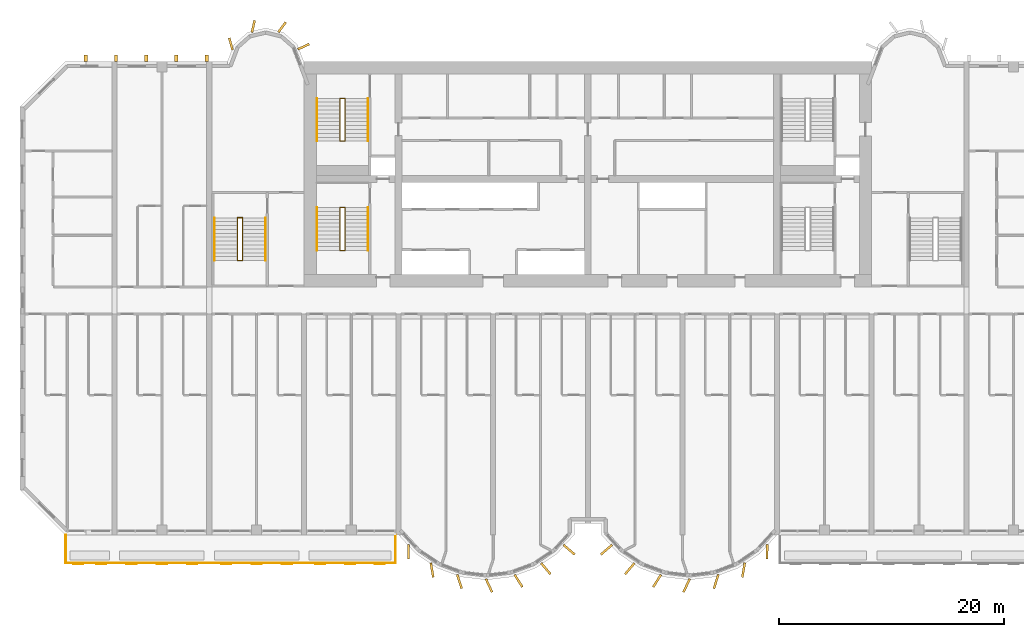
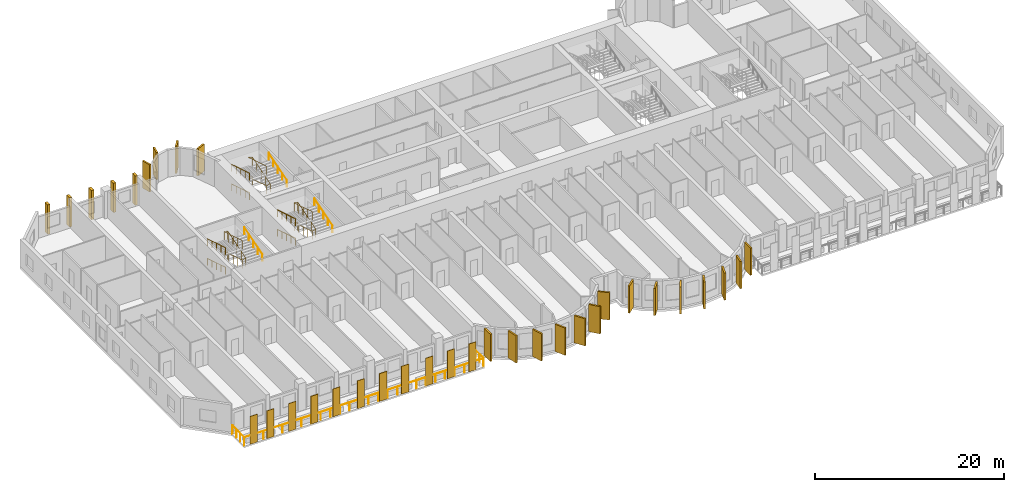
# One storey, part 13 of 15: 34 coverings, 13 railings.
"""IFC4 building model written with IfcOpenShell, lengths in metres."""

from ifc_helpers import new_model, si_unit, direction, frame, origin, origin_2d, place, context, subcontext, project, spatial, rectangle, circle, extrude, source, transform, mapped, material, layer, layer_set, material_profile, profile_set, type_object, element, save


model = new_model("IFC4")

# Units and contexts
model_context = context("Model", 3, precision=1e-05, world=origin(), true_north=direction((0.0, 1.0)))
body_context = subcontext(model_context, "Body", "Model", "MODEL_VIEW")
ifc_project = project(units=[si_unit("LENGTHUNIT", "METRE"), si_unit("AREAUNIT", "SQUARE_METRE"), si_unit("VOLUMEUNIT", "CUBIC_METRE"), si_unit("PLANEANGLEUNIT", "RADIAN"), si_unit("MASSUNIT", "GRAM", prefix="KILO")], contexts=[model_context])

# Site, building, storey
site_placement = place(None, origin())
site = spatial("IfcSite", under=ifc_project, at=site_placement, CompositionType="ELEMENT")
building_placement = place(site_placement, origin())
building = spatial("IfcBuilding", under=site, at=building_placement, Name="Vanashikhar Sky Hotel", CompositionType="ELEMENT")
storey_placement = place(building_placement, frame((0.0, 0.0, 31.60009765625)))
storey = spatial("IfcBuildingStorey", under=building, at=storey_placement, Name="L06", CompositionType="ELEMENT", Elevation=31.60009765625)

# Railing
ifc_material_1 = material(Name="Stainless steel 316", Category="steel")
railing_type_1 = type_object("IfcRailingType", Name="Balcony guard 1100", PredefinedType="GUARDRAIL", material=ifc_material_1)
shared_shape_1 = source(origin(), body_context, "Body", "SweptSolid", [
    extrude(circle(Radius=0.02392578125, at=origin_2d()), frame((0.0, 0.0, 1.076171875), z_axis=(0.0, -1.0, 0.0), x_axis=(1.0, 0.0, 0.0)), (0.0, 0.0, 1.0), 2.5),
    extrude(circle(Radius=0.02392578125, at=origin_2d()), frame((0.0, -2.5, 1.076171875), z_axis=(1.0, 0.0, 0.0), x_axis=(0.0, 1.0, 0.0)), (0.0, 0.0, 1.0), 29.280029296875),
    extrude(circle(Radius=0.02392578125, at=origin_2d()), frame((29.280029296875, -2.5, 1.076171875), z_axis=(0.0, 1.0, 0.0), x_axis=(-1.0, 0.0, 0.0)), (0.0, 0.0, 1.0), 2.5),
    extrude(circle(Radius=0.02099609375, at=origin_2d()), origin(), (0.0, 0.0, 1.0), 1.052001953125),
    extrude(circle(Radius=0.02099609375, at=origin_2d()), frame((0.0, -0.833251953125, 0.0)), (0.0, 0.0, 1.0), 1.052001953125),
    extrude(circle(Radius=0.02099609375, at=origin_2d()), frame((0.0, -1.666748046875, 0.0)), (0.0, 0.0, 1.0), 1.052001953125),
    extrude(circle(Radius=0.02099609375, at=origin_2d()), frame((0.0, -2.5, 0.0)), (0.0, 0.0, 1.0), 1.052001953125),
    extrude(circle(Radius=0.02099609375, at=origin_2d()), frame((1.171142578125, -2.5, 0.0)), (0.0, 0.0, 1.0), 1.052001953125),
    extrude(circle(Radius=0.02099609375, at=origin_2d()), frame((2.34228515625, -2.5, 0.0)), (0.0, 0.0, 1.0), 1.052001953125),
    extrude(circle(Radius=0.02099609375, at=origin_2d()), frame((3.513671875, -2.5, 0.0)), (0.0, 0.0, 1.0), 1.052001953125),
    extrude(circle(Radius=0.02099609375, at=origin_2d()), frame((4.684814453125, -2.5, 0.0)), (0.0, 0.0, 1.0), 1.052001953125),
    extrude(circle(Radius=0.02099609375, at=origin_2d()), frame((5.85595703125, -2.5, 0.0)), (0.0, 0.0, 1.0), 1.052001953125),
    extrude(circle(Radius=0.02099609375, at=origin_2d()), frame((7.027099609375, -2.5, 0.0)), (0.0, 0.0, 1.0), 1.052001953125),
    extrude(circle(Radius=0.02099609375, at=origin_2d()), frame((8.198486328125, -2.5, 0.0)), (0.0, 0.0, 1.0), 1.052001953125),
    extrude(circle(Radius=0.02099609375, at=origin_2d()), frame((9.36962890625, -2.5, 0.0)), (0.0, 0.0, 1.0), 1.052001953125),
    extrude(circle(Radius=0.02099609375, at=origin_2d()), frame((10.540771484375, -2.5, 0.0)), (0.0, 0.0, 1.0), 1.052001953125),
    extrude(circle(Radius=0.02099609375, at=origin_2d()), frame((11.7119140625, -2.5, 0.0)), (0.0, 0.0, 1.0), 1.052001953125),
    extrude(circle(Radius=0.02099609375, at=origin_2d()), frame((12.88330078125, -2.5, 0.0)), (0.0, 0.0, 1.0), 1.052001953125),
    extrude(circle(Radius=0.02099609375, at=origin_2d()), frame((14.054443359375, -2.5, 0.0)), (0.0, 0.0, 1.0), 1.052001953125),
    extrude(circle(Radius=0.02099609375, at=origin_2d()), frame((15.2255859375, -2.5, 0.0)), (0.0, 0.0, 1.0), 1.052001953125),
    extrude(circle(Radius=0.02099609375, at=origin_2d()), frame((16.396728515625, -2.5, 0.0)), (0.0, 0.0, 1.0), 1.052001953125),
    extrude(circle(Radius=0.02099609375, at=origin_2d()), frame((17.568115234375, -2.5, 0.0)), (0.0, 0.0, 1.0), 1.052001953125),
    extrude(circle(Radius=0.02099609375, at=origin_2d()), frame((18.7392578125, -2.5, 0.0)), (0.0, 0.0, 1.0), 1.052001953125),
    extrude(circle(Radius=0.02099609375, at=origin_2d()), frame((19.910400390625, -2.5, 0.0)), (0.0, 0.0, 1.0), 1.052001953125),
    extrude(circle(Radius=0.02099609375, at=origin_2d()), frame((21.08154296875, -2.5, 0.0)), (0.0, 0.0, 1.0), 1.052001953125),
    extrude(circle(Radius=0.02099609375, at=origin_2d()), frame((22.2529296875, -2.5, 0.0)), (0.0, 0.0, 1.0), 1.052001953125),
    extrude(circle(Radius=0.02099609375, at=origin_2d()), frame((23.424072265625, -2.5, 0.0)), (0.0, 0.0, 1.0), 1.052001953125),
    extrude(circle(Radius=0.02099609375, at=origin_2d()), frame((24.59521484375, -2.5, 0.0)), (0.0, 0.0, 1.0), 1.052001953125),
    extrude(circle(Radius=0.02099609375, at=origin_2d()), frame((25.766357421875, -2.5, 0.0)), (0.0, 0.0, 1.0), 1.052001953125),
    extrude(circle(Radius=0.02099609375, at=origin_2d()), frame((26.937744140625, -2.5, 0.0)), (0.0, 0.0, 1.0), 1.052001953125),
    extrude(circle(Radius=0.02099609375, at=origin_2d()), frame((28.10888671875, -2.5, 0.0)), (0.0, 0.0, 1.0), 1.052001953125),
    extrude(circle(Radius=0.02099609375, at=origin_2d()), frame((29.280029296875, -2.5, 0.0)), (0.0, 0.0, 1.0), 1.052001953125),
    extrude(circle(Radius=0.02099609375, at=origin_2d()), frame((29.280029296875, -1.666748046875, 0.0)), (0.0, 0.0, 1.0), 1.052001953125),
    extrude(circle(Radius=0.02099609375, at=origin_2d()), frame((29.280029296875, -0.833251953125, 0.0)), (0.0, 0.0, 1.0), 1.052001953125),
    extrude(circle(Radius=0.02099609375, at=origin_2d()), frame((29.280029296875, 0.0, 0.0)), (0.0, 0.0, 1.0), 1.052001953125),
])
railing_1_placement = place(storey_placement, frame((4.06005859375, 0.0, -0.050048828125)))
element("IfcRailing", 1, at=railing_1_placement, inside=storey, type_object=railing_type_1, Name="Balcony guard", PredefinedType="GUARDRAIL", context=body_context, shape_type="MappedRepresentation", body=[
    mapped(shared_shape_1, transform((0.0, 0.0, 0.0), scale=1.0)),
])

# Coverings
ifc_material_2 = material(Name="Terracotta", Category="masonry")
ifc_layer = layer(ifc_material_2, 0.06005859375)
ifc_layer_set = layer_set([ifc_layer], Name="Terracotta baguette screen")
covering_type_1 = type_object("IfcCoveringType", Name="Terracotta baguette screen", PredefinedType="CLADDING", material=ifc_layer_set)
shared_shape_2 = source(origin(), body_context, "Body", "SweptSolid", [
    extrude(rectangle(XDim=0.89990234375, YDim=0.06005859375, at=origin_2d()), origin(), (0.0, 0.0, 1.0), 3.60009765625),
])
for number, where, z_axis, x_axis, name in (
    (2, (5.175048828125, -2.570068359375, -0.050048828125), (0.0, 0.0, 1.0), (1.0, 0.0, 0.0), "Terracotta screen"),
    (3, (7.22509765625, -2.570068359375, -0.050048828125), (0.0, 0.0, 1.0), (1.0, 0.0, 0.0), "Terracotta screen"),
    (4, (9.89990234375, -2.570068359375, -0.050048828125), (0.0, 0.0, 1.0), (1.0, 0.0, 0.0), "Terracotta screen"),
    (5, (12.60009765625, -2.570068359375, -0.050048828125), (0.0, 0.0, 1.0), (1.0, 0.0, 0.0), "Terracotta screen"),
    (6, (15.300048828125, -2.570068359375, -0.050048828125), (0.0, 0.0, 1.0), (1.0, 0.0, 0.0), "Terracotta screen"),
    (7, (18.300048828125, -2.570068359375, -0.050048828125), (0.0, 0.0, 1.0), (1.0, 0.0, 0.0), "Terracotta screen"),
    (8, (21.0, -2.570068359375, -0.050048828125), (0.0, 0.0, 1.0), (1.0, 0.0, 0.0), "Terracotta screen"),
    (9, (23.699951171875, -2.570068359375, -0.050048828125), (0.0, 0.0, 1.0), (1.0, 0.0, 0.0), "Terracotta screen"),
    (10, (26.666748046875, -2.570068359375, -0.050048828125), (0.0, 0.0, 1.0), (1.0, 0.0, 0.0), "Terracotta screen"),
    (11, (29.300048828125, -2.570068359375, -0.050048828125), (0.0, 0.0, 1.0), (1.0, 0.0, 0.0), "Terracotta screen"),
    (12, (31.933349609375, -2.570068359375, -0.050048828125), (0.0, 0.0, 1.0), (1.0, 0.0, 0.0), "Terracotta screen"),
):
    element("IfcCovering", number, at=place(storey_placement, frame(where, z_axis=z_axis, x_axis=x_axis)), inside=storey, type_object=covering_type_1, Name=name, PredefinedType="CLADDING", context=body_context, shape_type="MappedRepresentation", body=[
        mapped(shared_shape_2, transform((0.0, 0.0, 0.0), scale=1.0)),
    ])
ifc_material_3 = material(Name="Concrete M60 dark", Category="concrete")
ifc_material_profile_1 = material_profile(ifc_material_3, rectangle(XDim=1.300048828125, YDim=0.199951171875, at=origin_2d()))
ifc_profile_set_1 = profile_set([ifc_material_profile_1], Name="Fin 1300 x 200")
covering_type_2 = type_object("IfcCoveringType", Name="Fin 1300 x 200", PredefinedType="CLADDING", material=ifc_profile_set_1)
shared_shape_3 = source(origin(), body_context, "Body", "SweptSolid", [
    extrude(rectangle(XDim=1.300048828125, YDim=0.199951171875, at=origin_2d()), origin(), (0.0, 0.0, 1.0), 3.52001953125),
])
for number, where, z_axis, x_axis, name in (
    (13, (34.482421875, -1.507080078125, 0.0), (0.0, 0.0, 1.0), (0.011588726826, -0.999932848451, 0.0), "Fin F1-1"),
    (14, (36.572509765625, -3.1220703125, 0.0), (0.0, 0.0, 1.0), (0.16989991575, -0.985461322746, 0.0), "Fin F1-2"),
    (15, (39.00830078125, -4.14306640625, 0.0), (0.0, 0.0, 1.0), (0.303966551867, -0.952682704444, 0.0), "Fin F1-3"),
    (16, (41.63232421875, -4.49853515625, 0.0), (0.0, 0.0, 1.0), (0.422618261741, -0.906307787037, 0.0), "Fin F1-4"),
    (17, (44.251953125, -4.083984375, 0.0), (0.0, 0.0, 1.0), (0.534411358496, -0.845224526331, 0.0), "Fin F1-5"),
    (18, (46.676025390625, -3.0, 0.0), (0.0, 0.0, 1.0), (0.645697609467, -0.763593214433, 0.0), "Fin F1-6"),
    (19, (48.7412109375, -1.3154296875, 0.0), (0.0, 0.0, 1.0), (0.758543912032, -0.65162192529, 0.0), "Fin F1-7"),
    (20, (52.058837890625, -1.3154296875, 0.0), (0.0, 0.0, 1.0), (-0.758543912032, -0.65162192529, 0.0), "Fin F2-1"),
    (21, (54.123779296875, -3.0, 0.0), (0.0, 0.0, 1.0), (-0.645697609467, -0.763593214433, 0.0), "Fin F2-2"),
    (22, (56.547119140625, -4.083984375, 0.0), (0.0, 0.0, 1.0), (-0.534411358496, -0.845224526331, 0.0), "Fin F2-3"),
    (23, (59.16748046875, -4.49853515625, 0.0), (0.0, 0.0, 1.0), (-0.422618261741, -0.906307787037, 0.0), "Fin F2-4"),
    (24, (61.790771484375, -4.14306640625, 0.0), (0.0, 0.0, 1.0), (-0.303966551867, -0.952682704444, 0.0), "Fin F2-5"),
    (25, (64.2275390625, -3.1220703125, 0.0), (0.0, 0.0, 1.0), (-0.16989991575, -0.985461322746, 0.0), "Fin F2-6"),
    (26, (66.317626953125, -1.507080078125, 0.0), (0.0, 0.0, 1.0), (-0.011588726826, -0.999932848451, 0.0), "Fin F2-7"),
):
    element("IfcCovering", number, at=place(storey_placement, frame(where, z_axis=z_axis, x_axis=x_axis)), inside=storey, type_object=covering_type_2, Name=name, PredefinedType="CLADDING", context=body_context, shape_type="MappedRepresentation", body=[
        mapped(shared_shape_3, transform((0.0, 0.0, 0.0), scale=1.0)),
    ])
ifc_material_profile_2 = material_profile(ifc_material_3, rectangle(XDim=1.10009765625, YDim=0.199951171875, at=origin_2d()))
ifc_profile_set_2 = profile_set([ifc_material_profile_2], Name="Rear lobe fin 1100 x 200")
covering_type_3 = type_object("IfcCoveringType", Name="Rear lobe fin 1100 x 200", PredefinedType="CLADDING", material=ifc_profile_set_2)
shared_shape_4 = source(origin(), body_context, "Body", "SweptSolid", [
    extrude(rectangle(XDim=1.10009765625, YDim=0.199951171875, at=origin_2d()), origin(), (0.0, 0.0, 1.0), 3.52001953125),
])
for number, where, z_axis, x_axis, name in (
    (27, (18.720703125, 43.580078125, 0.0), (0.0, 0.0, 1.0), (-0.262711264409, 0.964874495234, 0.0), "Fin R1-1"),
    (28, (20.710205078125, 45.1455078125, 0.0), (0.0, 0.0, 1.0), (0.224644935864, 0.974440687159, 0.0), "Fin R1-2"),
    (29, (23.261962890625, 45.06640625, 0.0), (0.0, 0.0, 1.0), (0.602065892195, 0.798446404874, 0.0), "Fin R1-3"),
    (30, (25.169677734375, 43.33447265625, 0.0), (0.0, 0.0, 1.0), (0.908004291068, 0.418960866193, 0.0), "Fin R1-4"),
):
    element("IfcCovering", number, at=place(storey_placement, frame(where, z_axis=z_axis, x_axis=x_axis)), inside=storey, type_object=covering_type_3, Name=name, PredefinedType="CLADDING", context=body_context, shape_type="MappedRepresentation", body=[
        mapped(shared_shape_4, transform((0.0, 0.0, 0.0), scale=1.0)),
    ])
ifc_material_profile_3 = material_profile(ifc_material_3, rectangle(XDim=0.60009765625, YDim=0.300048828125, at=origin_2d()))
ifc_profile_set_3 = profile_set([ifc_material_profile_3], Name="Rear rib 600 x 300")
covering_type_4 = type_object("IfcCoveringType", Name="Rear rib 600 x 300", PredefinedType="CLADDING", material=ifc_profile_set_3)
shared_shape_5 = source(origin(), body_context, "Body", "SweptSolid", [
    extrude(rectangle(XDim=0.60009765625, YDim=0.300048828125, at=origin_2d()), origin(), (0.0, 0.0, 1.0), 3.800048828125),
])
for number, where, z_axis, x_axis, name in (
    (31, (5.840087890625, 42.300048828125, -0.280029296875), (0.0, 0.0, 1.0), (0.0, 1.0, 0.0), "Rear rib"),
    (32, (8.52001953125, 42.300048828125, -0.280029296875), (0.0, 0.0, 1.0), (0.0, 1.0, 0.0), "Rear rib"),
    (33, (11.199951171875, 42.300048828125, -0.280029296875), (0.0, 0.0, 1.0), (0.0, 1.0, 0.0), "Rear rib"),
    (34, (13.8798828125, 42.300048828125, -0.280029296875), (0.0, 0.0, 1.0), (0.0, 1.0, 0.0), "Rear rib"),
    (35, (16.56005859375, 42.300048828125, -0.280029296875), (0.0, 0.0, 1.0), (0.0, 1.0, 0.0), "Rear rib"),
):
    element("IfcCovering", number, at=place(storey_placement, frame(where, z_axis=z_axis, x_axis=x_axis)), inside=storey, type_object=covering_type_4, Name=name, PredefinedType="CLADDING", context=body_context, shape_type="MappedRepresentation", body=[
        mapped(shared_shape_5, transform((0.0, 0.0, 0.0), scale=1.0)),
    ])

# Railings
ifc_material_4 = material(Name="Steel S355", Category="steel")
railing_type_2 = type_object("IfcRailingType", Name="Stair handrail 900", PredefinedType="HANDRAIL", material=ifc_material_4)
shared_shape_6 = source(origin(), body_context, "Body", "SweptSolid", [
    extrude(circle(Radius=0.02392578125, at=origin_2d()), frame((0.0, 0.0, 0.8759765625), z_axis=(0.0, 0.95635109408, 0.292220096591), x_axis=(-1.0, 0.0, 0.0)), (0.0, 0.0, 1.0), 3.973388671875),
    extrude(circle(Radius=0.02099609375, at=origin_2d()), origin(), (0.0, 0.0, 1.0), 0.851806640625),
    extrude(circle(Radius=0.02099609375, at=origin_2d()), frame((0.0, 0.949951171875, 0.290283203125)), (0.0, 0.0, 1.0), 0.851806640625),
    extrude(circle(Radius=0.02099609375, at=origin_2d()), frame((0.0, 1.89990234375, 0.58056640625)), (0.0, 0.0, 1.0), 0.851806640625),
    extrude(circle(Radius=0.02099609375, at=origin_2d()), frame((0.0, 2.85009765625, 0.870849609375)), (0.0, 0.0, 1.0), 0.851806640625),
    extrude(circle(Radius=0.02099609375, at=origin_2d()), frame((0.0, 3.800048828125, 1.1611328125)), (0.0, 0.0, 1.0), 0.851806640625),
])
for number, where, name in (
    (36, (30.89990234375, 25.25, 1.3720703125), "Exit stair 1 handrail"),
    (37, (30.89990234375, 34.949951171875, 1.3720703125), "Exit stair 5 handrail"),
):
    element("IfcRailing", number, at=place(storey_placement, frame(where)), inside=storey, type_object=railing_type_2, Name=name, PredefinedType="HANDRAIL", context=body_context, shape_type="MappedRepresentation", body=[
        mapped(shared_shape_6, transform((0.0, 0.0, 0.0), scale=1.0)),
    ])
shared_shape_7 = source(origin(), body_context, "Body", "SweptSolid", [
    extrude(circle(Radius=0.02392578125, at=origin_2d()), frame((0.0, 0.0, 0.8759765625), z_axis=(0.0, -0.95635109408, 0.292220096591), x_axis=(1.0, 0.0, 0.0)), (0.0, 0.0, 1.0), 3.973388671875),
    extrude(circle(Radius=0.02099609375, at=origin_2d()), origin(), (0.0, 0.0, 1.0), 0.851806640625),
    extrude(circle(Radius=0.02099609375, at=origin_2d()), frame((0.0, -0.949951171875, 0.290283203125)), (0.0, 0.0, 1.0), 0.851806640625),
    extrude(circle(Radius=0.02099609375, at=origin_2d()), frame((0.0, -1.89990234375, 0.58056640625)), (0.0, 0.0, 1.0), 0.851806640625),
    extrude(circle(Radius=0.02099609375, at=origin_2d()), frame((0.0, -2.85009765625, 0.870849609375)), (0.0, 0.0, 1.0), 0.851806640625),
    extrude(circle(Radius=0.02099609375, at=origin_2d()), frame((0.0, -3.800048828125, 1.1611328125)), (0.0, 0.0, 1.0), 0.851806640625),
])
for number, where, name in (
    (38, (26.35009765625, 29.050048828125, 0.10546875), "Exit stair 1 handrail"),
    (39, (26.35009765625, 29.050048828125, 2.638671875), "Exit stair 1 handrail"),
    (40, (26.35009765625, 38.75, 0.10546875), "Exit stair 5 handrail"),
    (41, (26.35009765625, 38.75, 2.638671875), "Exit stair 5 handrail"),
):
    element("IfcRailing", number, at=place(storey_placement, frame(where)), inside=storey, type_object=railing_type_2, Name=name, PredefinedType="HANDRAIL", context=body_context, shape_type="MappedRepresentation", body=[
        mapped(shared_shape_7, transform((0.0, 0.0, 0.0), scale=1.0)),
    ])
railing_type_3 = type_object("IfcRailingType", Name="Stair guard 1100", PredefinedType="GUARDRAIL", material=ifc_material_4)
shared_shape_8 = source(origin(), body_context, "Body", "SweptSolid", [
    extrude(circle(Radius=0.02392578125, at=origin_2d()), frame((0.0, 0.0, 1.076171875), z_axis=(-0.973638301096, 0.0, 0.228097476179), x_axis=(0.0, -1.0, 0.0)), (0.0, 0.0, 1.0), 0.46240234375),
    extrude(circle(Radius=0.02392578125, at=origin_2d()), frame((-0.4501953125, 0.0, 1.181640625), z_axis=(0.0, -0.95635109408, 0.292220096591), x_axis=(1.0, 0.0, 0.0)), (0.0, 0.0, 1.0), 3.973388671875),
    extrude(circle(Radius=0.02392578125, at=origin_2d()), frame((-0.4501953125, -3.800048828125, 2.3427734375), z_axis=(0.973638301096, 0.0, 0.228097476179), x_axis=(0.0, 1.0, 0.0)), (0.0, 0.0, 1.0), 0.46240234375),
    extrude(circle(Radius=0.02392578125, at=origin_2d()), frame((0.0, -3.800048828125, 2.4482421875), z_axis=(0.0, 0.95635109408, 0.292220096591), x_axis=(-1.0, 0.0, 0.0)), (0.0, 0.0, 1.0), 3.973388671875),
    extrude(circle(Radius=0.02392578125, at=origin_2d()), frame((0.0, 0.0, 3.609375), z_axis=(-0.973638301096, 0.0, 0.228097476179), x_axis=(0.0, -1.0, 0.0)), (0.0, 0.0, 1.0), 0.46240234375),
    extrude(circle(Radius=0.02392578125, at=origin_2d()), frame((-0.4501953125, 0.0, 3.71484375), z_axis=(0.0, -0.95635109408, 0.292220096591), x_axis=(1.0, 0.0, 0.0)), (0.0, 0.0, 1.0), 3.973388671875),
    extrude(circle(Radius=0.02099609375, at=origin_2d()), origin(), (0.0, 0.0, 1.0), 1.052001953125),
    extrude(circle(Radius=0.02099609375, at=origin_2d()), frame((-0.4501953125, 0.0, 0.10546875)), (0.0, 0.0, 1.0), 1.052001953125),
    extrude(circle(Radius=0.02099609375, at=origin_2d()), frame((-0.4501953125, -0.949951171875, 0.395751953125)), (0.0, 0.0, 1.0), 1.052001953125),
    extrude(circle(Radius=0.02099609375, at=origin_2d()), frame((-0.4501953125, -1.89990234375, 0.68603515625)), (0.0, 0.0, 1.0), 1.052001953125),
    extrude(circle(Radius=0.02099609375, at=origin_2d()), frame((-0.4501953125, -2.85009765625, 0.976318359375)), (0.0, 0.0, 1.0), 1.052001953125),
    extrude(circle(Radius=0.02099609375, at=origin_2d()), frame((-0.4501953125, -3.800048828125, 1.2666015625)), (0.0, 0.0, 1.0), 1.052001953125),
    extrude(circle(Radius=0.02099609375, at=origin_2d()), frame((0.0, -3.800048828125, 1.3720703125)), (0.0, 0.0, 1.0), 1.052001953125),
    extrude(circle(Radius=0.02099609375, at=origin_2d()), frame((0.0, -2.85009765625, 1.662353515625)), (0.0, 0.0, 1.0), 1.052001953125),
    extrude(circle(Radius=0.02099609375, at=origin_2d()), frame((0.0, -1.89990234375, 1.95263671875)), (0.0, 0.0, 1.0), 1.052001953125),
    extrude(circle(Radius=0.02099609375, at=origin_2d()), frame((0.0, -0.949951171875, 2.242919921875)), (0.0, 0.0, 1.0), 1.052001953125),
    extrude(circle(Radius=0.02099609375, at=origin_2d()), frame((0.0, 0.0, 2.533203125)), (0.0, 0.0, 1.0), 1.052001953125),
    extrude(circle(Radius=0.02099609375, at=origin_2d()), frame((-0.4501953125, 0.0, 2.638671875)), (0.0, 0.0, 1.0), 1.052001953125),
    extrude(circle(Radius=0.02099609375, at=origin_2d()), frame((-0.4501953125, -0.949951171875, 2.928955078125)), (0.0, 0.0, 1.0), 1.052001953125),
    extrude(circle(Radius=0.02099609375, at=origin_2d()), frame((-0.4501953125, -1.89990234375, 3.21923828125)), (0.0, 0.0, 1.0), 1.052001953125),
    extrude(circle(Radius=0.02099609375, at=origin_2d()), frame((-0.4501953125, -2.85009765625, 3.509521484375)), (0.0, 0.0, 1.0), 1.052001953125),
    extrude(circle(Radius=0.02099609375, at=origin_2d()), frame((-0.4501953125, -3.800048828125, 3.7998046875)), (0.0, 0.0, 1.0), 1.052001953125),
])
for number, where, name in (
    (42, (28.85009765625, 29.050048828125, 0.0), "Exit stair 1 guard"),
    (43, (28.85009765625, 38.75, 0.0), "Exit stair 5 guard"),
):
    element("IfcRailing", number, at=place(storey_placement, frame(where)), inside=storey, type_object=railing_type_3, Name=name, PredefinedType="GUARDRAIL", context=body_context, shape_type="MappedRepresentation", body=[
        mapped(shared_shape_8, transform((0.0, 0.0, 0.0), scale=1.0)),
    ])
shared_shape_9 = source(origin(), body_context, "Body", "SweptSolid", [
    extrude(circle(Radius=0.02392578125, at=origin_2d()), frame((0.0, 0.0, 0.8759765625), z_axis=(0.0, 0.956345846891, 0.292237268557), x_axis=(-1.0, 0.0, 0.0)), (0.0, 0.0, 1.0), 3.97314453125),
    extrude(circle(Radius=0.02099609375, at=origin_2d()), origin(), (0.0, 0.0, 1.0), 0.851806640625),
    extrude(circle(Radius=0.02099609375, at=origin_2d()), frame((0.0, 0.949951171875, 0.290283203125)), (0.0, 0.0, 1.0), 0.851806640625),
    extrude(circle(Radius=0.02099609375, at=origin_2d()), frame((0.0, 1.89990234375, 0.58056640625)), (0.0, 0.0, 1.0), 0.851806640625),
    extrude(circle(Radius=0.02099609375, at=origin_2d()), frame((0.0, 2.849853515625, 0.870849609375)), (0.0, 0.0, 1.0), 0.851806640625),
    extrude(circle(Radius=0.02099609375, at=origin_2d()), frame((0.0, 3.7998046875, 1.1611328125)), (0.0, 0.0, 1.0), 0.851806640625),
])
railing_2_placement = place(storey_placement, frame((21.800048828125, 24.35009765625, 1.3720703125)))
element("IfcRailing", 44, at=railing_2_placement, inside=storey, type_object=railing_type_2, Name="Exit stair 3 handrail", PredefinedType="HANDRAIL", context=body_context, shape_type="MappedRepresentation", body=[
    mapped(shared_shape_9, transform((0.0, 0.0, 0.0), scale=1.0)),
])
shared_shape_10 = source(origin(), body_context, "Body", "SweptSolid", [
    extrude(circle(Radius=0.02392578125, at=origin_2d()), frame((0.0, 0.0, 0.8759765625), z_axis=(0.0, -0.956345846891, 0.292237268557), x_axis=(1.0, 0.0, 0.0)), (0.0, 0.0, 1.0), 3.97314453125),
    extrude(circle(Radius=0.02099609375, at=origin_2d()), origin(), (0.0, 0.0, 1.0), 0.851806640625),
    extrude(circle(Radius=0.02099609375, at=origin_2d()), frame((0.0, -0.949951171875, 0.290283203125)), (0.0, 0.0, 1.0), 0.851806640625),
    extrude(circle(Radius=0.02099609375, at=origin_2d()), frame((0.0, -1.89990234375, 0.58056640625)), (0.0, 0.0, 1.0), 0.851806640625),
    extrude(circle(Radius=0.02099609375, at=origin_2d()), frame((0.0, -2.849853515625, 0.870849609375)), (0.0, 0.0, 1.0), 0.851806640625),
    extrude(circle(Radius=0.02099609375, at=origin_2d()), frame((0.0, -3.7998046875, 1.1611328125)), (0.0, 0.0, 1.0), 0.851806640625),
])
for number, where, name in (
    (45, (17.25, 28.14990234375, 0.10546875), "Exit stair 3 handrail"),
    (46, (17.25, 28.14990234375, 2.638671875), "Exit stair 3 handrail"),
):
    element("IfcRailing", number, at=place(storey_placement, frame(where)), inside=storey, type_object=railing_type_2, Name=name, PredefinedType="HANDRAIL", context=body_context, shape_type="MappedRepresentation", body=[
        mapped(shared_shape_10, transform((0.0, 0.0, 0.0), scale=1.0)),
    ])
shared_shape_11 = source(origin(), body_context, "Body", "SweptSolid", [
    extrude(circle(Radius=0.02392578125, at=origin_2d()), frame((0.0, 0.0, 1.076171875), z_axis=(-0.973610808694, 0.0, 0.228214796178), x_axis=(0.0, -1.0, 0.0)), (0.0, 0.0, 1.0), 0.462158203125),
    extrude(circle(Radius=0.02392578125, at=origin_2d()), frame((-0.449951171875, 0.0, 1.181640625), z_axis=(0.0, -0.956345846891, 0.292237268557), x_axis=(1.0, 0.0, 0.0)), (0.0, 0.0, 1.0), 3.97314453125),
    extrude(circle(Radius=0.02392578125, at=origin_2d()), frame((-0.449951171875, -3.7998046875, 2.3427734375), z_axis=(0.973610808694, 0.0, 0.228214796178), x_axis=(0.0, 1.0, 0.0)), (0.0, 0.0, 1.0), 0.462158203125),
    extrude(circle(Radius=0.02392578125, at=origin_2d()), frame((0.0, -3.7998046875, 2.4482421875), z_axis=(0.0, 0.956345846891, 0.292237268557), x_axis=(-1.0, 0.0, 0.0)), (0.0, 0.0, 1.0), 3.97314453125),
    extrude(circle(Radius=0.02392578125, at=origin_2d()), frame((0.0, 0.0, 3.609375), z_axis=(-0.973610808694, 0.0, 0.228214796178), x_axis=(0.0, -1.0, 0.0)), (0.0, 0.0, 1.0), 0.462158203125),
    extrude(circle(Radius=0.02392578125, at=origin_2d()), frame((-0.449951171875, 0.0, 3.71484375), z_axis=(0.0, -0.956345846891, 0.292237268557), x_axis=(1.0, 0.0, 0.0)), (0.0, 0.0, 1.0), 3.97314453125),
    extrude(circle(Radius=0.02099609375, at=origin_2d()), origin(), (0.0, 0.0, 1.0), 1.052001953125),
    extrude(circle(Radius=0.02099609375, at=origin_2d()), frame((-0.449951171875, 0.0, 0.10546875)), (0.0, 0.0, 1.0), 1.052001953125),
    extrude(circle(Radius=0.02099609375, at=origin_2d()), frame((-0.449951171875, -0.949951171875, 0.395751953125)), (0.0, 0.0, 1.0), 1.052001953125),
    extrude(circle(Radius=0.02099609375, at=origin_2d()), frame((-0.449951171875, -1.89990234375, 0.68603515625)), (0.0, 0.0, 1.0), 1.052001953125),
    extrude(circle(Radius=0.02099609375, at=origin_2d()), frame((-0.449951171875, -2.849853515625, 0.976318359375)), (0.0, 0.0, 1.0), 1.052001953125),
    extrude(circle(Radius=0.02099609375, at=origin_2d()), frame((-0.449951171875, -3.7998046875, 1.2666015625)), (0.0, 0.0, 1.0), 1.052001953125),
    extrude(circle(Radius=0.02099609375, at=origin_2d()), frame((0.0, -3.7998046875, 1.3720703125)), (0.0, 0.0, 1.0), 1.052001953125),
    extrude(circle(Radius=0.02099609375, at=origin_2d()), frame((0.0, -2.849853515625, 1.662353515625)), (0.0, 0.0, 1.0), 1.052001953125),
    extrude(circle(Radius=0.02099609375, at=origin_2d()), frame((0.0, -1.89990234375, 1.95263671875)), (0.0, 0.0, 1.0), 1.052001953125),
    extrude(circle(Radius=0.02099609375, at=origin_2d()), frame((0.0, -0.949951171875, 2.242919921875)), (0.0, 0.0, 1.0), 1.052001953125),
    extrude(circle(Radius=0.02099609375, at=origin_2d()), frame((0.0, 0.0, 2.533203125)), (0.0, 0.0, 1.0), 1.052001953125),
    extrude(circle(Radius=0.02099609375, at=origin_2d()), frame((-0.449951171875, 0.0, 2.638671875)), (0.0, 0.0, 1.0), 1.052001953125),
    extrude(circle(Radius=0.02099609375, at=origin_2d()), frame((-0.449951171875, -0.949951171875, 2.928955078125)), (0.0, 0.0, 1.0), 1.052001953125),
    extrude(circle(Radius=0.02099609375, at=origin_2d()), frame((-0.449951171875, -1.89990234375, 3.21923828125)), (0.0, 0.0, 1.0), 1.052001953125),
    extrude(circle(Radius=0.02099609375, at=origin_2d()), frame((-0.449951171875, -2.849853515625, 3.509521484375)), (0.0, 0.0, 1.0), 1.052001953125),
    extrude(circle(Radius=0.02099609375, at=origin_2d()), frame((-0.449951171875, -3.7998046875, 3.7998046875)), (0.0, 0.0, 1.0), 1.052001953125),
])
railing_3_placement = place(storey_placement, frame((19.75, 28.14990234375, 0.0)))
element("IfcRailing", 47, at=railing_3_placement, inside=storey, type_object=railing_type_3, Name="Exit stair 3 guard", PredefinedType="GUARDRAIL", context=body_context, shape_type="MappedRepresentation", body=[
    mapped(shared_shape_11, transform((0.0, 0.0, 0.0), scale=1.0)),
])

save(model, "model.ifc")
